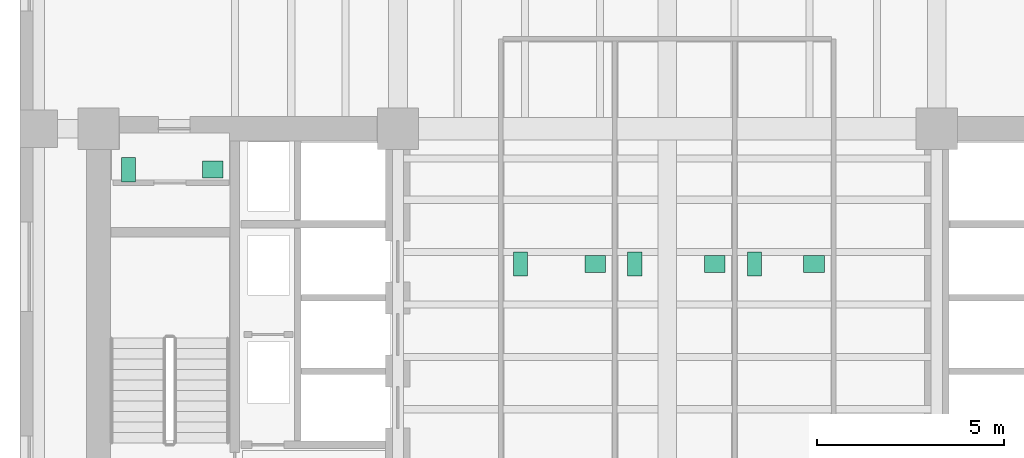
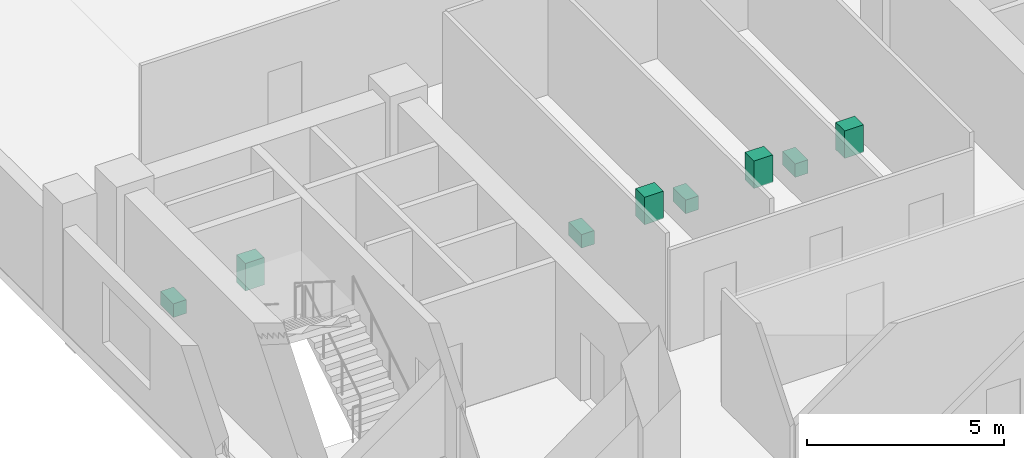
# One storey, part 9 of 9: 8 sanitary terminals.
"""IFC4 building model written with IfcOpenShell, lengths in metres."""

from ifc_helpers import new_model, si_unit, direction, frame, origin, origin_2d, place, context, subcontext, project, spatial, rectangle, extrude, material, type_object, element, save


model = new_model("IFC4")

# Units and contexts
model_context = context("Model", 3, precision=1e-05, world=origin(), true_north=direction((0.0, 1.0)))
body_context = subcontext(model_context, "Body", "Model", "MODEL_VIEW")
ifc_project = project(units=[si_unit("LENGTHUNIT", "METRE"), si_unit("AREAUNIT", "SQUARE_METRE"), si_unit("VOLUMEUNIT", "CUBIC_METRE"), si_unit("PLANEANGLEUNIT", "RADIAN"), si_unit("MASSUNIT", "GRAM", prefix="KILO")], contexts=[model_context])

# Site, building, storey
site_placement = place(None, origin())
site = spatial("IfcSite", under=ifc_project, at=site_placement, CompositionType="ELEMENT")
building_placement = place(site_placement, origin())
building = spatial("IfcBuilding", under=site, at=building_placement, Name="Kranthara Brick Stack", CompositionType="ELEMENT")
storey_placement = place(building_placement, frame((0.0, 0.0, 78.89990234375)))
storey = spatial("IfcBuildingStorey", under=building, at=storey_placement, Name="L19", CompositionType="ELEMENT", Elevation=78.89990234375)

# Sanitary terminals
ifc_material_1 = material(Name="Vitreous china sanitary porcelain", Category="other")
sanitary_terminal_type_1 = type_object("IfcSanitaryTerminalType", Name="SAN-BASIN", PredefinedType="WASHHANDBASIN", material=ifc_material_1)
for number, where, z_axis, x_axis, name in (
    (1, (15.85009765625, 32.5048828125, 0.0), (0.0, 0.0, 1.0), (1.0, 0.0, 0.0), "L19 Washbasin 57"),
    (2, (26.070068359375, 29.985107421875, 0.0), (0.0, 0.0, 1.0), (1.0, 0.0, 0.0), "L19 Washbasin 58"),
    (3, (29.27001953125, 29.985107421875, 0.0), (0.0, 0.0, 1.0), (1.0, 0.0, 0.0), "L19 Washbasin 59"),
    (4, (31.919921875, 29.985107421875, 0.0), (0.0, 0.0, 1.0), (1.0, 0.0, 0.0), "L19 Washbasin 60"),
):
    element("IfcSanitaryTerminal", number, at=place(storey_placement, frame(where, z_axis=z_axis, x_axis=x_axis)), inside=storey, type_object=sanitary_terminal_type_1, Name=name, PredefinedType="WASHHANDBASIN", context=body_context, shape_type="SweptSolid", body=[
        extrude(rectangle(XDim=0.550048828125, YDim=0.449951171875, at=origin_2d()), origin(), (0.0, 0.0, 1.0), 0.85009765625),
    ])
ifc_material_2 = material(Name="Vitreous china sanitary porcelain", Category="other")
sanitary_terminal_type_2 = type_object("IfcSanitaryTerminalType", Name="SAN-WC-PAN", PredefinedType="TOILETPAN", material=ifc_material_2)
for number, where, z_axis, x_axis, name in (
    (5, (13.60009765625, 32.5048828125, 0.000244140625), (0.0, 0.0, 1.0), (1.0, 0.0, 0.0), "L19 WC Pan 57"),
    (6, (24.080078125, 29.985107421875, 0.000244140625), (0.0, 0.0, 1.0), (1.0, 0.0, 0.0), "L19 WC Pan 58"),
    (7, (27.1298828125, 29.985107421875, 0.000244140625), (0.0, 0.0, 1.0), (1.0, 0.0, 0.0), "L19 WC Pan 59"),
    (8, (30.330078125, 29.985107421875, 0.000244140625), (0.0, 0.0, 1.0), (1.0, 0.0, 0.0), "L19 WC Pan 60"),
):
    element("IfcSanitaryTerminal", number, at=place(storey_placement, frame(where, z_axis=z_axis, x_axis=x_axis)), inside=storey, type_object=sanitary_terminal_type_2, Name=name, PredefinedType="TOILETPAN", context=body_context, shape_type="SweptSolid", body=[
        extrude(rectangle(XDim=0.3798828125, YDim=0.64990234375, at=origin_2d()), origin(), (0.0, 0.0, 1.0), 0.419921875),
    ])

save(model, "model.ifc")
